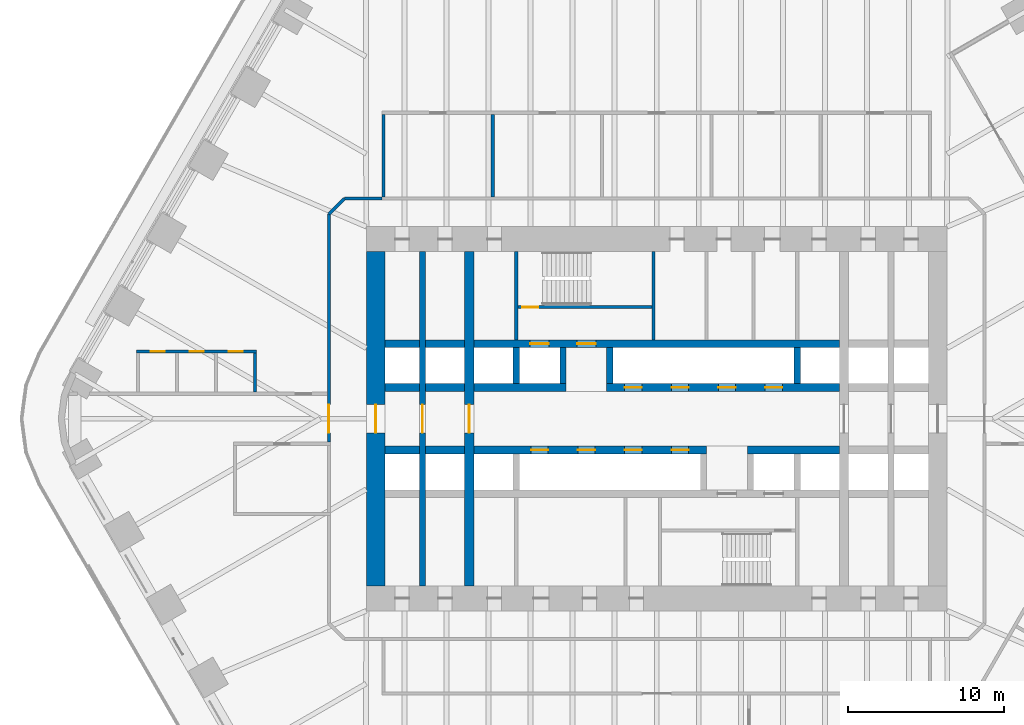
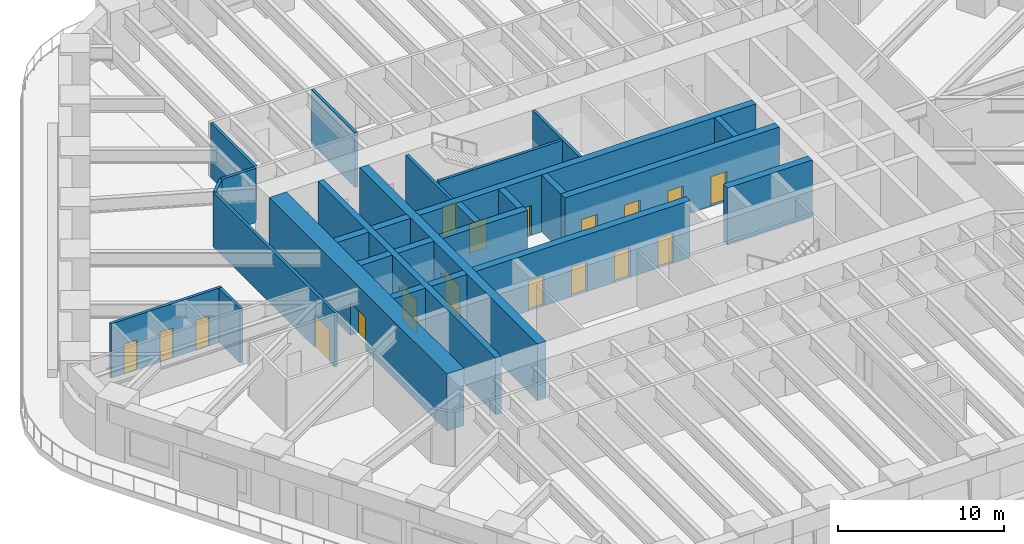
# One storey, part 18 of 23: 28 walls, 18 doors, 18 openings.
"""IFC4 building model written with IfcOpenShell, lengths in metres."""

import ifcopenshell
import ifcopenshell.guid

model = None  # the IFC model being written
_history = None  # IfcOwnerHistory: only IFC2X3 demands one
_inside = {}  # id of a spatial element -> (the spatial element, [elements in it])
_under = {}  # id of a project, library or spatial element -> (it, [spatial elements below it])
_declared = {}  # id of a project -> (the project, [libraries it declares])
_typed = {}  # id of a type object -> (the type object, [elements of that type])
_made_of = {}  # id of a material, layer set ... -> (it, [elements and type objects made of it])


def new_model(schema):
    """Start an empty IFC model of exactly this schema.

    Asked for "IFC4X3", IfcOpenShell would pick the latest addendum, in which some entities
    have other attributes; the version numbers below select the first issue.
    IFC2X3 requires an IfcOwnerHistory on every rooted entity: one is made here for all.
    """
    global model, _history
    if schema == "IFC4X3":
        model = ifcopenshell.file(schema_version=(4, 3, 0, 0))
    else:
        model = ifcopenshell.file(schema=schema)
    _inside.clear()
    _under.clear()
    _declared.clear()
    _typed.clear()
    _made_of.clear()
    _history = None
    if model.schema == "IFC2X3":
        org = make("IfcOrganization", Name="unknown")
        user = make(
            "IfcPersonAndOrganization",
            ThePerson=make("IfcPerson", FamilyName="unknown"),
            TheOrganization=org,
        )
        app = make(
            "IfcApplication",
            ApplicationDeveloper=org,
            Version="unknown",
            ApplicationFullName="unknown",
            ApplicationIdentifier="unknown",
        )
        _history = make(
            "IfcOwnerHistory",
            OwningUser=user,
            OwningApplication=app,
            ChangeAction="ADDED",
            CreationDate=0,
        )
    return model


def make(cls, **values):
    """One entity of the class cls with the attributes given. An attribute that is None is left unset."""
    return model.create_entity(
        cls, **{name: value for name, value in values.items() if value is not None}
    )


def rooted(cls, **values):
    """An entity with a GlobalId (a new one), such as an element, a storey or a relation."""
    return make(cls, GlobalId=ifcopenshell.guid.new(), OwnerHistory=_history, **values)


def si_unit(unit_type, name, prefix=None):
    """IfcSIUnit, for example si_unit("LENGTHUNIT", "METRE", prefix="MILLI")."""
    return make("IfcSIUnit", UnitType=unit_type, Prefix=prefix, Name=name)


def assignment(units):
    """IfcUnitAssignment: the units of a project."""
    return None if units is None else make("IfcUnitAssignment", Units=units)


def point(xyz):
    """IfcCartesianPoint."""
    return None if xyz is None else make("IfcCartesianPoint", Coordinates=xyz)


def direction(xyz):
    """IfcDirection."""
    return None if xyz is None else make("IfcDirection", DirectionRatios=xyz)


def frame(location, z_axis=None, x_axis=None):
    """IfcAxis2Placement3D, a coordinate frame: its origin and axes. An axis left out is left unset."""
    return make(
        "IfcAxis2Placement3D",
        Location=point(location),
        Axis=direction(z_axis),
        RefDirection=direction(x_axis),
    )


def frame_2d(location, x_axis=None):
    """IfcAxis2Placement2D, a coordinate frame in the plane: its origin and x axis."""
    return make(
        "IfcAxis2Placement2D", Location=point(location), RefDirection=direction(x_axis)
    )


def origin():
    """The frame at (0, 0, 0) with its axes left unset."""
    return frame((0.0, 0.0, 0.0))


def place(relative_to, where):
    """IfcLocalPlacement: puts the frame where relative to a parent placement (None: the world)."""
    return make(
        "IfcLocalPlacement", PlacementRelTo=relative_to, RelativePlacement=where
    )


def context(
    kind, dimensions, precision=None, world=None, true_north=None, identifier=None
):
    """IfcGeometricRepresentationContext, for example the 3D "Model" context."""
    return make(
        "IfcGeometricRepresentationContext",
        ContextIdentifier=identifier,
        ContextType=kind,
        CoordinateSpaceDimension=dimensions,
        Precision=precision,
        WorldCoordinateSystem=world,
        TrueNorth=true_north,
    )


def subcontext(parent, identifier, kind, view, scale=None):
    """IfcGeometricRepresentationSubContext, for example "Body" below "Model"."""
    return make(
        "IfcGeometricRepresentationSubContext",
        ContextIdentifier=identifier,
        ContextType=kind,
        ParentContext=parent,
        TargetScale=scale,
        TargetView=view,
    )


def project(units=None, contexts=None):
    """IfcProject with its units and contexts."""
    return rooted(
        "IfcProject",
        Name="project",
        RepresentationContexts=contexts,
        UnitsInContext=assignment(units),
    )


def spatial(cls, under=None, at=None, **own):
    """A site, building, storey or space (cls), placed at a placement, below another one or the project."""
    s = rooted(cls, ObjectPlacement=at, **own)
    if under is not None:
        _under.setdefault(under.id(), (under, []))[1].append(s)
    return s


def profile(cls, at=None, kind="AREA", **sizes):
    """A parametric profile (cls). Its sizes go by their IFC names, for example OverallWidth=200.0."""
    return make(cls, ProfileType=kind, Position=at, **sizes)


def rectangle(**sizes):
    """IfcRectangleProfileDef."""
    return profile("IfcRectangleProfileDef", **sizes)


def extrude(swept, where, along, depth):
    """IfcExtrudedAreaSolid: the profile swept, set in the frame where, extruded along a direction by depth."""
    return make(
        "IfcExtrudedAreaSolid",
        SweptArea=swept,
        Position=where,
        ExtrudedDirection=direction(along),
        Depth=depth,
    )


def shape(context_of_items, identifier, shape_type, items):
    """IfcShapeRepresentation: the items that make up one representation, for example the "Body"."""
    return make(
        "IfcShapeRepresentation",
        ContextOfItems=context_of_items,
        RepresentationIdentifier=identifier,
        RepresentationType=shape_type,
        Items=items,
    )


def material(Name=None, Category=None):
    """IfcMaterial."""
    return make("IfcMaterial", Name=Name, Category=Category)


def layer(
    of_material, thickness, ventilated=None, Name=None, Category=None, Priority=None
):
    """IfcMaterialLayer: one layer of a wall or slab, of a material (None: an air gap)."""
    return make(
        "IfcMaterialLayer",
        Material=of_material,
        LayerThickness=thickness,
        IsVentilated=ventilated,
        Name=Name,
        Category=Category,
        Priority=Priority,
    )


def layer_set(layers, Name=None):
    """IfcMaterialLayerSet."""
    return make("IfcMaterialLayerSet", MaterialLayers=layers, LayerSetName=Name)


def made_of(thing, what):
    """Note that an element or type object is made of a material, layer set ...; save() writes the relation."""
    if what is not None:
        _made_of.setdefault(what.id(), (what, []))[1].append(thing)
    return thing


def type_object(cls, material=None, **own):
    """A type object (cls), such as IfcWallType, which elements share."""
    return made_of(rooted(cls, **own), material)


def element(
    cls,
    number,
    at=None,
    inside=None,
    cuts=None,
    type_object=None,
    material=None,
    context=None,
    identifier="Body",
    shape_type=None,
    held_by="IfcProductDefinitionShape",
    body=None,
    shapes=None,
    **own,
):
    """One element of the class cls, such as IfcWall. Its Tag is "e" and its number.

    at: its placement. inside: the storey or other place that contains it. cuts: it is an
    opening in that element (IfcRelVoidsElement). A single representation is given by context,
    identifier, shape_type and body (its items); several are given by shapes. held_by: the class
    of the entity that holds the representations. save() writes the other relations.
    """
    e = rooted(cls, Tag="e%d" % number, ObjectPlacement=at, **own)
    if body is not None:
        shapes = [shape(context, identifier, shape_type, body)]
    if shapes is not None:
        e.Representation = make(held_by, Representations=shapes)
    if inside is not None:
        _inside.setdefault(inside.id(), (inside, []))[1].append(e)
    if cuts is not None:
        rooted(
            "IfcRelVoidsElement", RelatingBuildingElement=cuts, RelatedOpeningElement=e
        )
    if type_object is not None:
        _typed.setdefault(type_object.id(), (type_object, []))[1].append(e)
    return made_of(e, material)


def fill(opening, filler):
    """IfcRelFillsElement: the door or window that sits in an opening."""
    return rooted(
        "IfcRelFillsElement",
        RelatingOpeningElement=opening,
        RelatedBuildingElement=filler,
    )


def aggregate(whole, parts):
    """IfcRelAggregates: a whole, such as a stair, and the parts it consists of."""
    return rooted("IfcRelAggregates", RelatingObject=whole, RelatedObjects=parts)


def save(model, path):
    """Write the relations noted so far, then the file.

    IfcRelAggregates (storeys below a building ...), IfcRelContainedInSpatialStructure (elements
    in a storey), IfcRelDefinesByType, IfcRelAssociatesMaterial and IfcRelDeclares: one each for
    every whole, place, type object, material and project.
    """
    for whole, parts in _under.values():
        aggregate(whole, parts)
    for where, things in _inside.values():
        rooted(
            "IfcRelContainedInSpatialStructure",
            RelatedElements=things,
            RelatingStructure=where,
        )
    for kind, things in _typed.values():
        rooted("IfcRelDefinesByType", RelatedObjects=things, RelatingType=kind)
    for what, things in _made_of.values():
        rooted("IfcRelAssociatesMaterial", RelatedObjects=things, RelatingMaterial=what)
    for by, libraries in _declared.values():
        rooted("IfcRelDeclares", RelatingContext=by, RelatedDefinitions=libraries)
    model.write(path)


model = new_model("IFC4")

# Units and contexts
model_context = context("Model", 3, precision=1e-05, world=origin(), true_north=direction((0.0, 1.0)))
body_context = subcontext(model_context, "Body", "Model", "MODEL_VIEW")
ifc_project = project(units=[si_unit("LENGTHUNIT", "METRE"), si_unit("AREAUNIT", "SQUARE_METRE"), si_unit("VOLUMEUNIT", "CUBIC_METRE"), si_unit("PLANEANGLEUNIT", "RADIAN"), si_unit("MASSUNIT", "GRAM", prefix="KILO")], contexts=[model_context])

# Site, building, storey
site_placement = place(None, origin())
site = spatial("IfcSite", under=ifc_project, at=site_placement, CompositionType="ELEMENT")
building_placement = place(site_placement, origin())
building = spatial("IfcBuilding", under=site, at=building_placement, Name="Tarfa Lantern Tower", CompositionType="ELEMENT")
storey_placement = place(building_placement, frame((0.0, 0.0, 57.10009765625)))
storey = spatial("IfcBuildingStorey", under=building, at=storey_placement, Name="L12", CompositionType="ELEMENT", Elevation=57.10009765625)

# Walls
ifc_material_1 = material(Name="Concrete blockwork", Category="masonry")
ifc_layer_1 = layer(ifc_material_1, 0.199951171875)
ifc_layer_set_1 = layer_set([ifc_layer_1], Name="IW1 BLOCKWORK PARTITION 200 EI 120")
wall_type_1 = type_object("IfcWallType", Name="IW1 BLOCKWORK PARTITION 200 EI 120", PredefinedType="PARTITIONING", material=ifc_layer_set_1)
wall_1_placement = place(storey_placement, frame((-9.0, 5.050048828125, 0.0), z_axis=(0.0, 0.0, 1.0), x_axis=(0.0, 1.0, 0.0)))
element("IfcWall", 1, at=wall_1_placement, inside=storey, type_object=wall_type_1, Name="Core partition", PredefinedType="PARTITIONING", context=body_context, shape_type="SweptSolid", body=[
    extrude(rectangle(XDim=5.64990234375, YDim=0.199951171875, at=frame_2d((2.824951171875, 0.0))), origin(), (0.0, 0.0, 1.0), 4.0),
])
ifc_material_2 = material(Name="Gypsum board on steel studs", Category="steel")
ifc_layer_2 = layer(ifc_material_2, 0.2099609375)
ifc_layer_set_2 = layer_set([ifc_layer_2], Name="IW2 ACOUSTIC PARTITION 200")
wall_type_2 = type_object("IfcWallType", Name="IW2 ACOUSTIC PARTITION 200", PredefinedType="PARTITIONING", material=ifc_layer_set_2)
for number, where, z_axis, x_axis, name in (
    (2, (-17.5, 14.199951171875, 0.0), (0.0, 0.0, 1.0), (0.0, 1.0, 0.0), "Partition"),
    (3, (-10.5, 14.199951171875, 0.0), (0.0, 0.0, 1.0), (0.0, 1.0, 0.0), "Partition"),
):
    element("IfcWall", number, at=place(storey_placement, frame(where, z_axis=z_axis, x_axis=x_axis)), inside=storey, type_object=wall_type_2, Name=name, PredefinedType="PARTITIONING", context=body_context, shape_type="SweptSolid", body=[
        extrude(rectangle(XDim=5.300048828125, YDim=0.199951171875, at=frame_2d((2.64990234375, 0.0))), origin(), (0.0, 0.0, 1.0), 4.0),
    ])
wall_2_placement = place(storey_placement, frame((-20.0, 14.10009765625, 0.0), z_axis=(0.0, 0.0, 1.0), x_axis=(1.0, 0.0, 0.0)))
element("IfcWall", 4, at=wall_2_placement, inside=storey, type_object=wall_type_2, Name="Partition", PredefinedType="PARTITIONING", context=body_context, shape_type="SweptSolid", body=[
    extrude(rectangle(XDim=2.39990234375, YDim=0.199951171875, at=frame_2d((1.199951171875, 0.0))), origin(), (0.0, 0.0, 1.0), 4.0),
])

# Wall, opening, door
wall_3_placement = place(storey_placement, frame((-21.0, -1.4990234375, 0.0), z_axis=(0.0, 0.0, 1.0), x_axis=(0.0, 1.0, 0.0)))
wall_3 = element("IfcWall", 5, at=wall_3_placement, inside=storey, type_object=wall_type_2, Name="Partition", PredefinedType="PARTITIONING", context=body_context, shape_type="SweptSolid", body=[
    extrude(rectangle(XDim=14.59912109375, YDim=0.199951171875, at=frame_2d((7.299560546875, 0.0))), origin(), (0.0, 0.0, 1.0), 4.0),
])
opening_1_placement = place(wall_3_placement, frame((0.59912109375, 0.0, 0.0)))
opening_1 = element("IfcOpeningElement", 6, at=opening_1_placement, cuts=wall_3, Name="Opening D45", PredefinedType="OPENING", context=body_context, shape_type="SweptSolid", body=[
    extrude(rectangle(XDim=1.800048828125, YDim=2.39990234375, at=frame_2d((0.89990234375, 1.199951171875))), frame((0.0, 0.10986328125, 0.0), z_axis=(0.0, -1.0, 0.0), x_axis=(1.0, 0.0, 0.0)), (0.0, 0.0, 1.0), 0.219970703125),
])
ifc_material_3 = material(Name="Timber door", Category="wood")
door_type_1 = type_object("IfcDoorType", Name="DR2 ROOM DOOR 1800x2400", OperationType="DOUBLE_DOOR_SINGLE_SWING", PredefinedType="DOOR", material=ifc_material_3)
door_1_placement = place(opening_1_placement, origin())
door_1 = element("IfcDoor", 7, at=door_1_placement, inside=storey, type_object=door_type_1, Name="Corridor door", OperationType="DOUBLE_DOOR_SINGLE_SWING", OverallHeight=2.39990234375, OverallWidth=1.800048828125, PredefinedType="DOOR", context=body_context, shape_type="SweptSolid", body=[
    extrude(rectangle(XDim=1.800048828125, YDim=2.39990234375, at=frame_2d((0.89990234375, 1.199951171875))), frame((0.0, 0.02490234375, 0.0), z_axis=(0.0, -1.0, 0.0), x_axis=(1.0, 0.0, 0.0)), (0.0, 0.0, 1.0), 0.050048828125),
])
fill(opening_1, door_1)

# Wall
wall_4_placement = place(storey_placement, frame((-21.0, 13.10009765625, 0.0), z_axis=(0.0, 0.0, 1.0), x_axis=(0.707106781187, 0.707106781187, 0.0)))
element("IfcWall", 8, at=wall_4_placement, inside=storey, type_object=wall_type_2, Name="Partition", PredefinedType="PARTITIONING", context=body_context, shape_type="SweptSolid", body=[
    extrude(rectangle(XDim=1.414306640625, YDim=0.199951171875, at=frame_2d((0.70703125, 0.0))), origin(), (0.0, 0.0, 1.0), 4.0),
])

# Wall, openings, doors
wall_5_placement = place(storey_placement, frame((-25.618408203125, 4.300048828125, 0.0), z_axis=(0.0, 0.0, 1.0), x_axis=(-1.0, 0.0, 0.0)))
wall_5 = element("IfcWall", 9, at=wall_5_placement, inside=storey, type_object=wall_type_2, Name="Partition", PredefinedType="PARTITIONING", context=body_context, shape_type="SweptSolid", body=[
    extrude(rectangle(XDim=7.699951171875, YDim=0.199951171875, at=frame_2d((3.85009765625, 0.0))), origin(), (0.0, 0.0, 1.0), 4.0),
])
opening_2_placement = place(wall_5_placement, frame((0.89990234375, 0.0, 0.0)))
opening_2 = element("IfcOpeningElement", 10, at=opening_2_placement, cuts=wall_5, Name="Opening D39", PredefinedType="OPENING", context=body_context, shape_type="SweptSolid", body=[
    extrude(rectangle(XDim=0.89990234375, YDim=2.199951171875, at=frame_2d((0.449951171875, 1.10009765625))), frame((0.0, 0.10986328125, 0.0), z_axis=(0.0, -1.0, 0.0), x_axis=(1.0, 0.0, 0.0)), (0.0, 0.0, 1.0), 0.219970703125),
])
opening_3_placement = place(wall_5_placement, frame((3.39990234375, 0.0, 0.0)))
opening_3 = element("IfcOpeningElement", 11, at=opening_3_placement, cuts=wall_5, Name="Opening D40", PredefinedType="OPENING", context=body_context, shape_type="SweptSolid", body=[
    extrude(rectangle(XDim=0.89990234375, YDim=2.199951171875, at=frame_2d((0.449951171875, 1.10009765625))), frame((0.0, 0.10986328125, 0.0), z_axis=(0.0, -1.0, 0.0), x_axis=(1.0, 0.0, 0.0)), (0.0, 0.0, 1.0), 0.219970703125),
])
opening_4_placement = place(wall_5_placement, frame((5.89990234375, 0.0, 0.0)))
opening_4 = element("IfcOpeningElement", 12, at=opening_4_placement, cuts=wall_5, Name="Opening D41", PredefinedType="OPENING", context=body_context, shape_type="SweptSolid", body=[
    extrude(rectangle(XDim=0.89990234375, YDim=2.199951171875, at=frame_2d((0.449951171875, 1.10009765625))), frame((0.0, 0.10986328125, 0.0), z_axis=(0.0, -1.0, 0.0), x_axis=(1.0, 0.0, 0.0)), (0.0, 0.0, 1.0), 0.219970703125),
])
door_type_2 = type_object("IfcDoorType", Name="DR3 ROOM DOOR 900x2200", OperationType="SINGLE_SWING_LEFT", PredefinedType="DOOR", material=ifc_material_3)
door_2_placement = place(opening_2_placement, origin())
door_2 = element("IfcDoor", 13, at=door_2_placement, inside=storey, type_object=door_type_2, Name="Focus room door", OperationType="SINGLE_SWING_RIGHT", OverallHeight=2.199951171875, OverallWidth=0.89990234375, PredefinedType="DOOR", context=body_context, shape_type="SweptSolid", body=[
    extrude(rectangle(XDim=0.89990234375, YDim=2.199951171875, at=frame_2d((0.449951171875, 1.10009765625))), frame((0.0, 0.02490234375, 0.0), z_axis=(0.0, -1.0, 0.0), x_axis=(1.0, 0.0, 0.0)), (0.0, 0.0, 1.0), 0.050048828125),
])
fill(opening_2, door_2)
door_3_placement = place(opening_3_placement, origin())
door_3 = element("IfcDoor", 14, at=door_3_placement, inside=storey, type_object=door_type_2, Name="Focus room door", OperationType="SINGLE_SWING_LEFT", OverallHeight=2.199951171875, OverallWidth=0.89990234375, PredefinedType="DOOR", context=body_context, shape_type="SweptSolid", body=[
    extrude(rectangle(XDim=0.89990234375, YDim=2.199951171875, at=frame_2d((0.449951171875, 1.10009765625))), frame((0.0, 0.02490234375, 0.0), z_axis=(0.0, -1.0, 0.0), x_axis=(1.0, 0.0, 0.0)), (0.0, 0.0, 1.0), 0.050048828125),
])
fill(opening_3, door_3)
door_4_placement = place(opening_4_placement, origin())
door_4 = element("IfcDoor", 15, at=door_4_placement, inside=storey, type_object=door_type_2, Name="Focus room door", OperationType="SINGLE_SWING_LEFT", OverallHeight=2.199951171875, OverallWidth=0.89990234375, PredefinedType="DOOR", context=body_context, shape_type="SweptSolid", body=[
    extrude(rectangle(XDim=0.89990234375, YDim=2.199951171875, at=frame_2d((0.449951171875, 1.10009765625))), frame((0.0, 0.02490234375, 0.0), z_axis=(0.0, -1.0, 0.0), x_axis=(1.0, 0.0, 0.0)), (0.0, 0.0, 1.0), 0.050048828125),
])
fill(opening_4, door_4)

# Wall
wall_6_placement = place(storey_placement, frame((-25.718505859375, 1.699951171875, 0.0), z_axis=(0.0, 0.0, 1.0), x_axis=(0.0, 1.0, 0.0)))
element("IfcWall", 16, at=wall_6_placement, inside=storey, type_object=wall_type_2, Name="Partition", PredefinedType="PARTITIONING", context=body_context, shape_type="SweptSolid", body=[
    extrude(rectangle(XDim=2.5, YDim=0.199951171875, at=frame_2d((1.25, 0.0))), origin(), (0.0, 0.0, 1.0), 4.0),
])

# Wall, opening, door
ifc_material_4 = material(Name="Concrete C80/95", Category="concrete")
ifc_layer_3 = layer(ifc_material_4, 1.199951171875)
ifc_layer_set_3 = layer_set([ifc_layer_3], Name="SW1 CORE WALL 1200")
wall_type_3 = type_object("IfcWallType", Name="SW1 CORE WALL 1200", PredefinedType="SHEAR", material=ifc_layer_set_3)
wall_7_placement = place(storey_placement, frame((-18.0, 10.699951171875, 0.0), z_axis=(0.0, 0.0, 1.0), x_axis=(0.0, -1.0, 0.0)))
wall_7 = element("IfcWall", 17, at=wall_7_placement, inside=storey, type_object=wall_type_3, Name="Core wall W", PredefinedType="SHEAR", context=body_context, shape_type="SweptSolid", body=[
    extrude(rectangle(XDim=21.39990234375, YDim=1.199951171875, at=frame_2d((10.699951171875, 0.0))), origin(), (0.0, 0.0, 1.0), 4.199951171875),
])
opening_5_placement = place(wall_7_placement, frame((9.800048828125, 0.0, 0.0)))
opening_5 = element("IfcOpeningElement", 18, at=opening_5_placement, cuts=wall_7, Name="Opening D16", PredefinedType="OPENING", context=body_context, shape_type="SweptSolid", body=[
    extrude(rectangle(XDim=1.800048828125, YDim=2.39990234375, at=frame_2d((0.89990234375, 1.199951171875))), frame((0.0, 0.60986328125, 0.0), z_axis=(0.0, -1.0, 0.0), x_axis=(1.0, 0.0, 0.0)), (0.0, 0.0, 1.0), 1.219970703125),
])
ifc_material_5 = material(Name="Steel fire door", Category="steel")
door_type_3 = type_object("IfcDoorType", Name="DL1 LOBBY DOOR 1800x2400", OperationType="DOUBLE_DOOR_SINGLE_SWING", PredefinedType="DOOR", material=ifc_material_5)
door_5_placement = place(opening_5_placement, frame((1.800048828125, 0.0, 0.0), z_axis=(0.0, 0.0, 1.0), x_axis=(-1.0, 0.0, 0.0)))
door_5 = element("IfcDoor", 19, at=door_5_placement, inside=storey, type_object=door_type_3, Name="Lift lobby door", OperationType="DOUBLE_DOOR_SINGLE_SWING", OverallHeight=2.39990234375, OverallWidth=1.800048828125, PredefinedType="DOOR", context=body_context, shape_type="SweptSolid", body=[
    extrude(rectangle(XDim=1.800048828125, YDim=2.39990234375, at=frame_2d((0.89990234375, 1.199951171875))), frame((0.0, 0.02490234375, 0.0), z_axis=(0.0, -1.0, 0.0), x_axis=(1.0, 0.0, 0.0)), (0.0, 0.0, 1.0), 0.050048828125),
])
fill(opening_5, door_5)

# Wall
ifc_layer_4 = layer(ifc_material_4, 0.199951171875)
ifc_layer_set_4 = layer_set([ifc_layer_4], Name="SW12 CORE WALL 200")
wall_type_4 = type_object("IfcWallType", Name="SW12 CORE WALL 200", PredefinedType="SHEAR", material=ifc_layer_set_4)
wall_8_placement = place(storey_placement, frame((-0.199951171875, 5.050048828125, 0.0), z_axis=(0.0, 0.0, 1.0), x_axis=(0.0, 1.0, 0.0)))
element("IfcWall", 20, at=wall_8_placement, inside=storey, type_object=wall_type_4, Name="Core wall stair shaft N", PredefinedType="SHEAR", context=body_context, shape_type="SweptSolid", body=[
    extrude(rectangle(XDim=5.64990234375, YDim=0.199951171875, at=frame_2d((2.824951171875, 0.0))), origin(), (0.0, 0.0, 1.0), 4.199951171875),
])

# Wall, opening, door
wall_9_placement = place(storey_placement, frame((-8.89990234375, 7.14990234375, 0.0), z_axis=(0.0, 0.0, 1.0), x_axis=(1.0, 0.0, 0.0)))
wall_9 = element("IfcWall", 21, at=wall_9_placement, inside=storey, type_object=wall_type_4, Name="Core wall stair partition N", PredefinedType="SHEAR", context=body_context, shape_type="SweptSolid", body=[
    extrude(rectangle(XDim=8.599853515625, YDim=0.199951171875, at=frame_2d((4.2998046875, 0.0))), origin(), (0.0, 0.0, 1.0), 4.199951171875),
])
opening_6_placement = place(wall_9_placement, frame((0.300048828125, 0.0, 0.0)))
opening_6 = element("IfcOpeningElement", 22, at=opening_6_placement, cuts=wall_9, Name="Opening D23", PredefinedType="OPENING", context=body_context, shape_type="SweptSolid", body=[
    extrude(rectangle(XDim=1.0, YDim=2.199951171875, at=frame_2d((0.5, 1.10009765625))), frame((0.0, 0.10986328125, 0.0), z_axis=(0.0, -1.0, 0.0), x_axis=(1.0, 0.0, 0.0)), (0.0, 0.0, 1.0), 0.219970703125),
])
door_type_4 = type_object("IfcDoorType", Name="DF2 STAIR DOOR 1000x2200", OperationType="SINGLE_SWING_LEFT", PredefinedType="DOOR", material=ifc_material_5)
door_6_placement = place(opening_6_placement, origin())
door_6 = element("IfcDoor", 23, at=door_6_placement, inside=storey, type_object=door_type_4, Name="Stair door", OperationType="SINGLE_SWING_RIGHT", OverallHeight=2.199951171875, OverallWidth=1.0, PredefinedType="DOOR", context=body_context, shape_type="SweptSolid", body=[
    extrude(rectangle(XDim=1.0, YDim=2.199951171875, at=frame_2d((0.5, 1.10009765625))), frame((0.0, 0.02490234375, 0.0), z_axis=(0.0, -1.0, 0.0), x_axis=(1.0, 0.0, 0.0)), (0.0, 0.0, 1.0), 0.050048828125),
])
fill(opening_6, door_6)

# Walls
ifc_layer_5 = layer(ifc_material_4, 0.5)
ifc_layer_set_5 = layer_set([ifc_layer_5], Name="SW5 CORE WALL 500")
wall_type_5 = type_object("IfcWallType", Name="SW5 CORE WALL 500", PredefinedType="SHEAR", material=ifc_layer_set_5)
wall_10_placement = place(storey_placement, frame((-17.39990234375, 2.0, 0.0), z_axis=(0.0, 0.0, 1.0), x_axis=(1.0, 0.0, 0.0)))
element("IfcWall", 24, at=wall_10_placement, inside=storey, type_object=wall_type_5, Name="Core wall lobby west N", PredefinedType="SHEAR", context=body_context, shape_type="SweptSolid", body=[
    extrude(rectangle(XDim=2.199951171875, YDim=0.5, at=frame_2d((1.10009765625, 0.0))), origin(), (0.0, 0.0, 1.0), 4.199951171875),
])
wall_11_placement = place(storey_placement, frame((-14.800048828125, 2.0, 0.0), z_axis=(0.0, 0.0, 1.0), x_axis=(1.0, 0.0, 0.0)))
element("IfcWall", 25, at=wall_11_placement, inside=storey, type_object=wall_type_5, Name="Core wall lobby west N", PredefinedType="SHEAR", context=body_context, shape_type="SweptSolid", body=[
    extrude(rectangle(XDim=2.5, YDim=0.5, at=frame_2d((1.25, 0.0))), origin(), (0.0, 0.0, 1.0), 4.199951171875),
])
wall_12_placement = place(storey_placement, frame((-11.699951171875, 2.0, 0.0), z_axis=(0.0, 0.0, 1.0), x_axis=(1.0, 0.0, 0.0)))
element("IfcWall", 26, at=wall_12_placement, inside=storey, type_object=wall_type_5, Name="Core wall lobby west N", PredefinedType="SHEAR", context=body_context, shape_type="SweptSolid", body=[
    extrude(rectangle(XDim=5.89990234375, YDim=0.5, at=frame_2d((2.949951171875, 0.0))), origin(), (0.0, 0.0, 1.0), 4.199951171875),
])

# Wall, openings, doors
wall_13_placement = place(storey_placement, frame((-3.199951171875, 2.0, 0.0), z_axis=(0.0, 0.0, 1.0), x_axis=(1.0, 0.0, 0.0)))
wall_13 = element("IfcWall", 27, at=wall_13_placement, inside=storey, type_object=wall_type_5, Name="Core wall lobby east N", PredefinedType="SHEAR", context=body_context, shape_type="SweptSolid", body=[
    extrude(rectangle(XDim=14.89990234375, YDim=0.5, at=frame_2d((7.449951171875, 0.0))), origin(), (0.0, 0.0, 1.0), 4.199951171875),
])
opening_7_placement = place(wall_13_placement, frame((1.14990234375, 0.0, 0.0)))
opening_7 = element("IfcOpeningElement", 28, at=opening_7_placement, cuts=wall_13, Name="Opening LD03", PredefinedType="OPENING", context=body_context, shape_type="SweptSolid", body=[
    extrude(rectangle(XDim=1.10009765625, YDim=2.199951171875, at=frame_2d((0.550048828125, 1.10009765625))), frame((0.0, 0.260009765625, 0.0), z_axis=(0.0, -1.0, 0.0), x_axis=(1.0, 0.0, 0.0)), (0.0, 0.0, 1.0), 0.52001953125),
])
opening_8_placement = place(wall_13_placement, frame((4.14990234375, 0.0, 0.0)))
opening_8 = element("IfcOpeningElement", 29, at=opening_8_placement, cuts=wall_13, Name="Opening LD04", PredefinedType="OPENING", context=body_context, shape_type="SweptSolid", body=[
    extrude(rectangle(XDim=1.10009765625, YDim=2.199951171875, at=frame_2d((0.550048828125, 1.10009765625))), frame((0.0, 0.260009765625, 0.0), z_axis=(0.0, -1.0, 0.0), x_axis=(1.0, 0.0, 0.0)), (0.0, 0.0, 1.0), 0.52001953125),
])
opening_9_placement = place(wall_13_placement, frame((7.14990234375, 0.0, 0.0)))
opening_9 = element("IfcOpeningElement", 30, at=opening_9_placement, cuts=wall_13, Name="Opening LD05", PredefinedType="OPENING", context=body_context, shape_type="SweptSolid", body=[
    extrude(rectangle(XDim=1.10009765625, YDim=2.199951171875, at=frame_2d((0.550048828125, 1.10009765625))), frame((0.0, 0.260009765625, 0.0), z_axis=(0.0, -1.0, 0.0), x_axis=(1.0, 0.0, 0.0)), (0.0, 0.0, 1.0), 0.52001953125),
])
opening_10_placement = place(wall_13_placement, frame((10.14990234375, 0.0, 0.0)))
opening_10 = element("IfcOpeningElement", 31, at=opening_10_placement, cuts=wall_13, Name="Opening LD06", PredefinedType="OPENING", context=body_context, shape_type="SweptSolid", body=[
    extrude(rectangle(XDim=1.10009765625, YDim=2.199951171875, at=frame_2d((0.550048828125, 1.10009765625))), frame((0.0, 0.260009765625, 0.0), z_axis=(0.0, -1.0, 0.0), x_axis=(1.0, 0.0, 0.0)), (0.0, 0.0, 1.0), 0.52001953125),
])
ifc_material_6 = material(Name="Stainless steel lift door", Category="steel")
door_type_5 = type_object("IfcDoorType", Name="LD2 LIFT LANDING DOOR 1100x2200", OperationType="SLIDING_TO_LEFT", PredefinedType="DOOR", material=ifc_material_6)
door_7_placement = place(opening_7_placement, frame((1.10009765625, 0.0, 0.0), z_axis=(0.0, 0.0, 1.0), x_axis=(-1.0, 0.0, 0.0)))
door_7 = element("IfcDoor", 32, at=door_7_placement, inside=storey, type_object=door_type_5, Name="Landing door PA1", OperationType="SLIDING_TO_LEFT", OverallHeight=2.199951171875, OverallWidth=1.10009765625, PredefinedType="DOOR", context=body_context, shape_type="SweptSolid", body=[
    extrude(rectangle(XDim=1.10009765625, YDim=2.199951171875, at=frame_2d((0.550048828125, 1.10009765625))), frame((0.0, 0.02490234375, 0.0), z_axis=(0.0, -1.0, 0.0), x_axis=(1.0, 0.0, 0.0)), (0.0, 0.0, 1.0), 0.050048828125),
])
fill(opening_7, door_7)
door_8_placement = place(opening_8_placement, frame((1.10009765625, 0.0, 0.0), z_axis=(0.0, 0.0, 1.0), x_axis=(-1.0, 0.0, 0.0)))
door_8 = element("IfcDoor", 33, at=door_8_placement, inside=storey, type_object=door_type_5, Name="Landing door PA2", OperationType="SLIDING_TO_LEFT", OverallHeight=2.199951171875, OverallWidth=1.10009765625, PredefinedType="DOOR", context=body_context, shape_type="SweptSolid", body=[
    extrude(rectangle(XDim=1.10009765625, YDim=2.199951171875, at=frame_2d((0.550048828125, 1.10009765625))), frame((0.0, 0.02490234375, 0.0), z_axis=(0.0, -1.0, 0.0), x_axis=(1.0, 0.0, 0.0)), (0.0, 0.0, 1.0), 0.050048828125),
])
fill(opening_8, door_8)
door_9_placement = place(opening_9_placement, frame((1.10009765625, 0.0, 0.0), z_axis=(0.0, 0.0, 1.0), x_axis=(-1.0, 0.0, 0.0)))
door_9 = element("IfcDoor", 34, at=door_9_placement, inside=storey, type_object=door_type_5, Name="Landing door PA3", OperationType="SLIDING_TO_LEFT", OverallHeight=2.199951171875, OverallWidth=1.10009765625, PredefinedType="DOOR", context=body_context, shape_type="SweptSolid", body=[
    extrude(rectangle(XDim=1.10009765625, YDim=2.199951171875, at=frame_2d((0.550048828125, 1.10009765625))), frame((0.0, 0.02490234375, 0.0), z_axis=(0.0, -1.0, 0.0), x_axis=(1.0, 0.0, 0.0)), (0.0, 0.0, 1.0), 0.050048828125),
])
fill(opening_9, door_9)
door_10_placement = place(opening_10_placement, frame((1.10009765625, 0.0, 0.0), z_axis=(0.0, 0.0, 1.0), x_axis=(-1.0, 0.0, 0.0)))
door_10 = element("IfcDoor", 35, at=door_10_placement, inside=storey, type_object=door_type_5, Name="Landing door PA4", OperationType="SLIDING_TO_LEFT", OverallHeight=2.199951171875, OverallWidth=1.10009765625, PredefinedType="DOOR", context=body_context, shape_type="SweptSolid", body=[
    extrude(rectangle(XDim=1.10009765625, YDim=2.199951171875, at=frame_2d((0.550048828125, 1.10009765625))), frame((0.0, 0.02490234375, 0.0), z_axis=(0.0, -1.0, 0.0), x_axis=(1.0, 0.0, 0.0)), (0.0, 0.0, 1.0), 0.050048828125),
])
fill(opening_10, door_10)

# Walls
wall_14_placement = place(storey_placement, frame((-17.39990234375, 4.800048828125, 0.0), z_axis=(0.0, 0.0, 1.0), x_axis=(1.0, 0.0, 0.0)))
element("IfcWall", 36, at=wall_14_placement, inside=storey, type_object=wall_type_5, Name="Core wall rear N", PredefinedType="SHEAR", context=body_context, shape_type="SweptSolid", body=[
    extrude(rectangle(XDim=2.199951171875, YDim=0.5, at=frame_2d((1.10009765625, 0.0))), origin(), (0.0, 0.0, 1.0), 4.199951171875),
])
wall_15_placement = place(storey_placement, frame((-14.800048828125, 4.800048828125, 0.0), z_axis=(0.0, 0.0, 1.0), x_axis=(1.0, 0.0, 0.0)))
element("IfcWall", 37, at=wall_15_placement, inside=storey, type_object=wall_type_5, Name="Core wall rear N", PredefinedType="SHEAR", context=body_context, shape_type="SweptSolid", body=[
    extrude(rectangle(XDim=2.5, YDim=0.5, at=frame_2d((1.25, 0.0))), origin(), (0.0, 0.0, 1.0), 4.199951171875),
])

# Wall, openings, doors
wall_16_placement = place(storey_placement, frame((-11.699951171875, 4.800048828125, 0.0), z_axis=(0.0, 0.0, 1.0), x_axis=(1.0, 0.0, 0.0)))
wall_16 = element("IfcWall", 38, at=wall_16_placement, inside=storey, type_object=wall_type_5, Name="Core wall rear N", PredefinedType="SHEAR", context=body_context, shape_type="SweptSolid", body=[
    extrude(rectangle(XDim=23.39990234375, YDim=0.5, at=frame_2d((11.699951171875, 0.0))), origin(), (0.0, 0.0, 1.0), 4.199951171875),
])
opening_11_placement = place(wall_16_placement, frame((6.60009765625, 0.0, 0.0)))
opening_11 = element("IfcOpeningElement", 39, at=opening_11_placement, cuts=wall_16, Name="Opening D13", PredefinedType="OPENING", context=body_context, shape_type="SweptSolid", body=[
    extrude(rectangle(XDim=1.199951171875, YDim=2.199951171875, at=frame_2d((0.60009765625, 1.10009765625))), frame((0.0, 0.260009765625, 0.0), z_axis=(0.0, -1.0, 0.0), x_axis=(1.0, 0.0, 0.0)), (0.0, 0.0, 1.0), 0.52001953125),
])
opening_12_placement = place(wall_16_placement, frame((3.60009765625, 0.0, 0.0)))
opening_12 = element("IfcOpeningElement", 40, at=opening_12_placement, cuts=wall_16, Name="Opening LD01", PredefinedType="OPENING", context=body_context, shape_type="SweptSolid", body=[
    extrude(rectangle(XDim=1.199951171875, YDim=2.199951171875, at=frame_2d((0.60009765625, 1.10009765625))), frame((0.0, 0.260009765625, 0.0), z_axis=(0.0, -1.0, 0.0), x_axis=(1.0, 0.0, 0.0)), (0.0, 0.0, 1.0), 0.52001953125),
])
door_type_6 = type_object("IfcDoorType", Name="DF1 FIREFIGHTING LOBBY DOOR 1200x2200", OperationType="SINGLE_SWING_LEFT", PredefinedType="DOOR", material=ifc_material_5)
door_11_placement = place(opening_11_placement, origin())
door_11 = element("IfcDoor", 41, at=door_11_placement, inside=storey, type_object=door_type_6, Name="Firefighting lobby door", OperationType="SINGLE_SWING_LEFT", OverallHeight=2.199951171875, OverallWidth=1.199951171875, PredefinedType="DOOR", context=body_context, shape_type="SweptSolid", body=[
    extrude(rectangle(XDim=1.199951171875, YDim=2.199951171875, at=frame_2d((0.60009765625, 1.10009765625))), frame((0.0, 0.02490234375, 0.0), z_axis=(0.0, -1.0, 0.0), x_axis=(1.0, 0.0, 0.0)), (0.0, 0.0, 1.0), 0.050048828125),
])
fill(opening_11, door_11)
door_type_7 = type_object("IfcDoorType", Name="LD1 LIFT LANDING DOOR 1200x2200", OperationType="SLIDING_TO_LEFT", PredefinedType="DOOR", material=ifc_material_6)
door_12_placement = place(opening_12_placement, origin())
door_12 = element("IfcDoor", 42, at=door_12_placement, inside=storey, type_object=door_type_7, Name="Landing door FL1", OperationType="SLIDING_TO_LEFT", OverallHeight=2.199951171875, OverallWidth=1.199951171875, PredefinedType="DOOR", context=body_context, shape_type="SweptSolid", body=[
    extrude(rectangle(XDim=1.199951171875, YDim=2.199951171875, at=frame_2d((0.60009765625, 1.10009765625))), frame((0.0, 0.02490234375, 0.0), z_axis=(0.0, -1.0, 0.0), x_axis=(1.0, 0.0, 0.0)), (0.0, 0.0, 1.0), 0.050048828125),
])
fill(opening_12, door_12)

# Wall
wall_17_placement = place(storey_placement, frame((11.699951171875, -2.0, 0.0), z_axis=(0.0, 0.0, 1.0), x_axis=(-1.0, 0.0, 0.0)))
element("IfcWall", 43, at=wall_17_placement, inside=storey, type_object=wall_type_5, Name="Core wall lobby west S", PredefinedType="SHEAR", context=body_context, shape_type="SweptSolid", body=[
    extrude(rectangle(XDim=5.89990234375, YDim=0.5, at=frame_2d((2.949951171875, 0.0))), origin(), (0.0, 0.0, 1.0), 4.199951171875),
])

# Wall, openings, doors
wall_18_placement = place(storey_placement, frame((3.199951171875, -2.0, 0.0), z_axis=(0.0, 0.0, 1.0), x_axis=(-1.0, 0.0, 0.0)))
wall_18 = element("IfcWall", 44, at=wall_18_placement, inside=storey, type_object=wall_type_5, Name="Core wall lobby east S", PredefinedType="SHEAR", context=body_context, shape_type="SweptSolid", body=[
    extrude(rectangle(XDim=14.89990234375, YDim=0.5, at=frame_2d((7.449951171875, 0.0))), origin(), (0.0, 0.0, 1.0), 4.199951171875),
])
opening_13_placement = place(wall_18_placement, frame((1.14990234375, 0.0, 0.0)))
opening_13 = element("IfcOpeningElement", 45, at=opening_13_placement, cuts=wall_18, Name="Opening LD07", PredefinedType="OPENING", context=body_context, shape_type="SweptSolid", body=[
    extrude(rectangle(XDim=1.10009765625, YDim=2.199951171875, at=frame_2d((0.550048828125, 1.10009765625))), frame((0.0, 0.260009765625, 0.0), z_axis=(0.0, -1.0, 0.0), x_axis=(1.0, 0.0, 0.0)), (0.0, 0.0, 1.0), 0.52001953125),
])
opening_14_placement = place(wall_18_placement, frame((4.14990234375, 0.0, 0.0)))
opening_14 = element("IfcOpeningElement", 46, at=opening_14_placement, cuts=wall_18, Name="Opening LD08", PredefinedType="OPENING", context=body_context, shape_type="SweptSolid", body=[
    extrude(rectangle(XDim=1.10009765625, YDim=2.199951171875, at=frame_2d((0.550048828125, 1.10009765625))), frame((0.0, 0.260009765625, 0.0), z_axis=(0.0, -1.0, 0.0), x_axis=(1.0, 0.0, 0.0)), (0.0, 0.0, 1.0), 0.52001953125),
])
opening_15_placement = place(wall_18_placement, frame((7.14990234375, 0.0, 0.0)))
opening_15 = element("IfcOpeningElement", 47, at=opening_15_placement, cuts=wall_18, Name="Opening LD09", PredefinedType="OPENING", context=body_context, shape_type="SweptSolid", body=[
    extrude(rectangle(XDim=1.10009765625, YDim=2.199951171875, at=frame_2d((0.550048828125, 1.10009765625))), frame((0.0, 0.260009765625, 0.0), z_axis=(0.0, -1.0, 0.0), x_axis=(1.0, 0.0, 0.0)), (0.0, 0.0, 1.0), 0.52001953125),
])
opening_16_placement = place(wall_18_placement, frame((10.14990234375, 0.0, 0.0)))
opening_16 = element("IfcOpeningElement", 48, at=opening_16_placement, cuts=wall_18, Name="Opening LD10", PredefinedType="OPENING", context=body_context, shape_type="SweptSolid", body=[
    extrude(rectangle(XDim=1.10009765625, YDim=2.199951171875, at=frame_2d((0.550048828125, 1.10009765625))), frame((0.0, 0.260009765625, 0.0), z_axis=(0.0, -1.0, 0.0), x_axis=(1.0, 0.0, 0.0)), (0.0, 0.0, 1.0), 0.52001953125),
])
door_13_placement = place(opening_13_placement, frame((1.10009765625, 0.0, 0.0), z_axis=(0.0, 0.0, 1.0), x_axis=(-1.0, 0.0, 0.0)))
door_13 = element("IfcDoor", 49, at=door_13_placement, inside=storey, type_object=door_type_5, Name="Landing door PA5", OperationType="SLIDING_TO_LEFT", OverallHeight=2.199951171875, OverallWidth=1.10009765625, PredefinedType="DOOR", context=body_context, shape_type="SweptSolid", body=[
    extrude(rectangle(XDim=1.10009765625, YDim=2.199951171875, at=frame_2d((0.550048828125, 1.10009765625))), frame((0.0, 0.02490234375, 0.0), z_axis=(0.0, -1.0, 0.0), x_axis=(1.0, 0.0, 0.0)), (0.0, 0.0, 1.0), 0.050048828125),
])
fill(opening_13, door_13)
door_14_placement = place(opening_14_placement, frame((1.10009765625, 0.0, 0.0), z_axis=(0.0, 0.0, 1.0), x_axis=(-1.0, 0.0, 0.0)))
door_14 = element("IfcDoor", 50, at=door_14_placement, inside=storey, type_object=door_type_5, Name="Landing door PA6", OperationType="SLIDING_TO_LEFT", OverallHeight=2.199951171875, OverallWidth=1.10009765625, PredefinedType="DOOR", context=body_context, shape_type="SweptSolid", body=[
    extrude(rectangle(XDim=1.10009765625, YDim=2.199951171875, at=frame_2d((0.550048828125, 1.10009765625))), frame((0.0, 0.02490234375, 0.0), z_axis=(0.0, -1.0, 0.0), x_axis=(1.0, 0.0, 0.0)), (0.0, 0.0, 1.0), 0.050048828125),
])
fill(opening_14, door_14)
door_15_placement = place(opening_15_placement, frame((1.10009765625, 0.0, 0.0), z_axis=(0.0, 0.0, 1.0), x_axis=(-1.0, 0.0, 0.0)))
door_15 = element("IfcDoor", 51, at=door_15_placement, inside=storey, type_object=door_type_5, Name="Landing door PA7", OperationType="SLIDING_TO_LEFT", OverallHeight=2.199951171875, OverallWidth=1.10009765625, PredefinedType="DOOR", context=body_context, shape_type="SweptSolid", body=[
    extrude(rectangle(XDim=1.10009765625, YDim=2.199951171875, at=frame_2d((0.550048828125, 1.10009765625))), frame((0.0, 0.02490234375, 0.0), z_axis=(0.0, -1.0, 0.0), x_axis=(1.0, 0.0, 0.0)), (0.0, 0.0, 1.0), 0.050048828125),
])
fill(opening_15, door_15)
door_16_placement = place(opening_16_placement, frame((1.10009765625, 0.0, 0.0), z_axis=(0.0, 0.0, 1.0), x_axis=(-1.0, 0.0, 0.0)))
door_16 = element("IfcDoor", 52, at=door_16_placement, inside=storey, type_object=door_type_5, Name="Landing door PA8", OperationType="SLIDING_TO_LEFT", OverallHeight=2.199951171875, OverallWidth=1.10009765625, PredefinedType="DOOR", context=body_context, shape_type="SweptSolid", body=[
    extrude(rectangle(XDim=1.10009765625, YDim=2.199951171875, at=frame_2d((0.550048828125, 1.10009765625))), frame((0.0, 0.02490234375, 0.0), z_axis=(0.0, -1.0, 0.0), x_axis=(1.0, 0.0, 0.0)), (0.0, 0.0, 1.0), 0.050048828125),
])
fill(opening_16, door_16)

# Walls
wall_19_placement = place(storey_placement, frame((-12.300048828125, -2.0, 0.0), z_axis=(0.0, 0.0, 1.0), x_axis=(-1.0, 0.0, 0.0)))
element("IfcWall", 53, at=wall_19_placement, inside=storey, type_object=wall_type_5, Name="Core wall lobby east S", PredefinedType="SHEAR", context=body_context, shape_type="SweptSolid", body=[
    extrude(rectangle(XDim=2.5, YDim=0.5, at=frame_2d((1.25, 0.0))), origin(), (0.0, 0.0, 1.0), 4.199951171875),
])
wall_20_placement = place(storey_placement, frame((-15.199951171875, -2.0, 0.0), z_axis=(0.0, 0.0, 1.0), x_axis=(-1.0, 0.0, 0.0)))
element("IfcWall", 54, at=wall_20_placement, inside=storey, type_object=wall_type_5, Name="Core wall lobby east S", PredefinedType="SHEAR", context=body_context, shape_type="SweptSolid", body=[
    extrude(rectangle(XDim=2.199951171875, YDim=0.5, at=frame_2d((1.10009765625, 0.0))), origin(), (0.0, 0.0, 1.0), 4.199951171875),
])

# Wall, opening, door
ifc_layer_6 = layer(ifc_material_4, 0.39990234375)
ifc_layer_set_6 = layer_set([ifc_layer_6], Name="SW6 CORE WALL 400")
wall_type_6 = type_object("IfcWallType", Name="SW6 CORE WALL 400", PredefinedType="SHEAR", material=ifc_layer_set_6)
wall_21_placement = place(storey_placement, frame((-15.0, -10.699951171875, 0.0), z_axis=(0.0, 0.0, 1.0), x_axis=(0.0, 1.0, 0.0)))
wall_21 = element("IfcWall", 55, at=wall_21_placement, inside=storey, type_object=wall_type_6, Name="Core wall cross 15 m west", PredefinedType="SHEAR", context=body_context, shape_type="SweptSolid", body=[
    extrude(rectangle(XDim=21.39990234375, YDim=0.39990234375, at=frame_2d((10.699951171875, 0.0))), origin(), (0.0, 0.0, 1.0), 4.199951171875),
])
opening_17_placement = place(wall_21_placement, frame((9.800048828125, 0.0, 0.0)))
opening_17 = element("IfcOpeningElement", 56, at=opening_17_placement, cuts=wall_21, Name="Opening D28", PredefinedType="OPENING", context=body_context, shape_type="SweptSolid", body=[
    extrude(rectangle(XDim=1.800048828125, YDim=2.39990234375, at=frame_2d((0.89990234375, 1.199951171875))), frame((0.0, 0.2099609375, 0.0), z_axis=(0.0, -1.0, 0.0), x_axis=(1.0, 0.0, 0.0)), (0.0, 0.0, 1.0), 0.419921875),
])
door_17_placement = place(opening_17_placement, origin())
door_17 = element("IfcDoor", 57, at=door_17_placement, inside=storey, type_object=door_type_3, Name="Lift lobby door", OperationType="DOUBLE_DOOR_SINGLE_SWING", OverallHeight=2.39990234375, OverallWidth=1.800048828125, PredefinedType="DOOR", context=body_context, shape_type="SweptSolid", body=[
    extrude(rectangle(XDim=1.800048828125, YDim=2.39990234375, at=frame_2d((0.89990234375, 1.199951171875))), frame((0.0, 0.02490234375, 0.0), z_axis=(0.0, -1.0, 0.0), x_axis=(1.0, 0.0, 0.0)), (0.0, 0.0, 1.0), 0.050048828125),
])
fill(opening_17, door_17)

# Walls
for number, where, z_axis, x_axis, name in (
    (58, (-9.0, 2.25, 0.0), (0.0, 0.0, 1.0), (0.0, 1.0, 0.0), "Core wall divider N"),
    (59, (-6.0, 2.25, 0.0), (0.0, 0.0, 1.0), (0.0, 1.0, 0.0), "Core wall divider N"),
    (60, (-3.0, 2.25, 0.0), (0.0, 0.0, 1.0), (0.0, 1.0, 0.0), "Core wall divider N"),
    (61, (9.0, 2.25, 0.0), (0.0, 0.0, 1.0), (0.0, 1.0, 0.0), "Core wall divider N"),
):
    element("IfcWall", number, at=place(storey_placement, frame(where, z_axis=z_axis, x_axis=x_axis)), inside=storey, type_object=wall_type_6, Name=name, PredefinedType="SHEAR", context=body_context, shape_type="SweptSolid", body=[
        extrude(rectangle(XDim=2.300048828125, YDim=0.39990234375, at=frame_2d((1.14990234375, 0.0))), origin(), (0.0, 0.0, 1.0), 4.199951171875),
    ])

# Wall, opening, door
ifc_layer_7 = layer(ifc_material_4, 0.60009765625)
ifc_layer_set_7 = layer_set([ifc_layer_7], Name="SW9 CORE WALL 600")
wall_type_7 = type_object("IfcWallType", Name="SW9 CORE WALL 600", PredefinedType="SHEAR", material=ifc_layer_set_7)
wall_22_placement = place(storey_placement, frame((-12.0, -10.699951171875, 0.0), z_axis=(0.0, 0.0, 1.0), x_axis=(0.0, 1.0, 0.0)))
wall_22 = element("IfcWall", 62, at=wall_22_placement, inside=storey, type_object=wall_type_7, Name="Core wall cross 12 m west", PredefinedType="SHEAR", context=body_context, shape_type="SweptSolid", body=[
    extrude(rectangle(XDim=21.39990234375, YDim=0.60009765625, at=frame_2d((10.699951171875, 0.0))), origin(), (0.0, 0.0, 1.0), 4.199951171875),
])
opening_18_placement = place(wall_22_placement, frame((9.800048828125, 0.0, 0.0)))
opening_18 = element("IfcOpeningElement", 63, at=opening_18_placement, cuts=wall_22, Name="Opening D27", PredefinedType="OPENING", context=body_context, shape_type="SweptSolid", body=[
    extrude(rectangle(XDim=1.800048828125, YDim=2.39990234375, at=frame_2d((0.89990234375, 1.199951171875))), frame((0.0, 0.31005859375, 0.0), z_axis=(0.0, -1.0, 0.0), x_axis=(1.0, 0.0, 0.0)), (0.0, 0.0, 1.0), 0.6201171875),
])
door_18_placement = place(opening_18_placement, origin())
door_18 = element("IfcDoor", 64, at=door_18_placement, inside=storey, type_object=door_type_3, Name="Lift lobby door", OperationType="DOUBLE_DOOR_SINGLE_SWING", OverallHeight=2.39990234375, OverallWidth=1.800048828125, PredefinedType="DOOR", context=body_context, shape_type="SweptSolid", body=[
    extrude(rectangle(XDim=1.800048828125, YDim=2.39990234375, at=frame_2d((0.89990234375, 1.199951171875))), frame((0.0, 0.02490234375, 0.0), z_axis=(0.0, -1.0, 0.0), x_axis=(1.0, 0.0, 0.0)), (0.0, 0.0, 1.0), 0.050048828125),
])
fill(opening_18, door_18)

save(model, "model.ifc")
